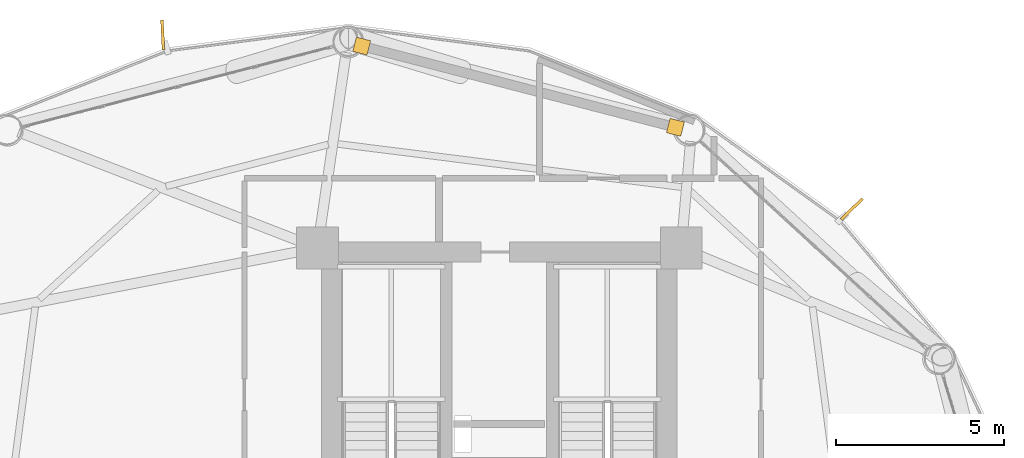
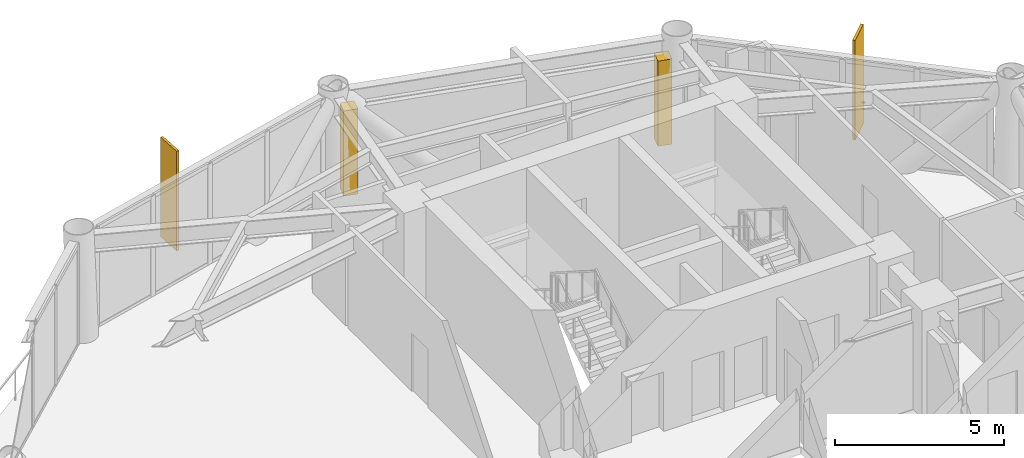
# One storey, part 25 of 25: 2 coverings, 2 shading devices.
"""IFC4 building model written with IfcOpenShell, lengths in metres."""

from ifc_helpers import new_model, si_unit, direction, frame, origin, origin_2d, place, context, subcontext, project, spatial, rectangle, extrude, source, transform, mapped, material, layer, layer_set, type_object, type_shapes, element, save


model = new_model("IFC4")

# Units and contexts
model_context = context("Model", 3, precision=1e-05, world=origin(), true_north=direction((0.0, 1.0)))
body_context = subcontext(model_context, "Body", "Model", "MODEL_VIEW")
ifc_project = project(units=[si_unit("LENGTHUNIT", "METRE"), si_unit("AREAUNIT", "SQUARE_METRE"), si_unit("VOLUMEUNIT", "CUBIC_METRE"), si_unit("PLANEANGLEUNIT", "RADIAN"), si_unit("MASSUNIT", "GRAM", prefix="KILO")], contexts=[model_context])

# Site, building, storey
site_placement = place(None, origin())
site = spatial("IfcSite", under=ifc_project, at=site_placement, CompositionType="ELEMENT")
building_placement = place(site_placement, origin())
building = spatial("IfcBuilding", under=site, at=building_placement, Name="Varnakorn Sky Granary", CompositionType="ELEMENT")
storey_placement = place(building_placement, frame((0.0, 0.0, 35.39990234375)))
storey = spatial("IfcBuildingStorey", under=building, at=storey_placement, Name="L08", CompositionType="ELEMENT", Elevation=35.39990234375)

# Shading devices
ifc_material = material(Name="Anodised Bronze Aluminium Alloy 6063-T6", Category="aluminium")
shading_device_type = type_object("IfcShadingDeviceType", Name="SH-FIN-01", PredefinedType="USERDEFINED", material=ifc_material)
shared_shape_1 = source(origin(), body_context, "Body", "SweptSolid", [
    extrude(rectangle(XDim=0.0849609375, YDim=0.8798828125, at=origin_2d()), origin(), (0.0, 0.0, 1.0), 3.60009765625),
])
type_shapes(shading_device_type, [shared_shape_1])
for number, where, z_axis, x_axis, name in (
    (1, (13.501708984375, 13.780517578125, -0.0400390625), (0.0, 0.0, 1.0), (-0.693725761954, 0.720239243031, 0.0), "Bronze Solar-Tracking Vertical Blade FIN L08-02"),
    (2, (-7.03125, 18.973388671875, -0.0400390625), (0.0, 0.0, 1.0), (-0.998840355183, -0.048145039813, 0.0), "Bronze Solar-Tracking Vertical Blade FIN L08-04"),
):
    element("IfcShadingDevice", number, at=place(storey_placement, frame(where, z_axis=z_axis, x_axis=x_axis)), inside=storey, type_object=shading_device_type, Name=name, ObjectType="FIN", PredefinedType="USERDEFINED", context=body_context, shape_type="MappedRepresentation", body=[
        mapped(shared_shape_1, transform((0.0, 0.0, 0.0), x_axis=(1.0, 0.0, 0.0), y_axis=(0.0, 1.0, 0.0), z_axis=(0.0, 0.0, 1.0), scale=1.0)),
    ])

# Coverings
ifc_layer = layer(ifc_material, 0.050048828125, Name="Anodised Bronze Aluminium Alloy 6063-T6")
ifc_layer_set = layer_set([ifc_layer], Name="Anodised Bronze Aluminium Alloy 6063-T6")
covering_type = type_object("IfcCoveringType", Name="CV-CLAD-50", PredefinedType="CLADDING", material=ifc_layer_set)
shared_shape_2 = source(origin(), body_context, "Body", "SweptSolid", [
    extrude(rectangle(XDim=0.43994140625, YDim=0.43994140625, at=origin_2d()), origin(), (0.0, 0.0, 1.0), 3.080078125),
])
type_shapes(covering_type, [shared_shape_2])
for number, where, z_axis, x_axis, name in (
    (3, (-1.101318359375, 18.6376953125, -0.02001953125), (0.0, 0.0, 1.0), (0.968060182288, -0.250717936073, 0.0), "Bronze Corner Pilaster Closure L08-P03-A"),
    (4, (8.24560546875, 16.216552734375, -0.02001953125), (0.0, 0.0, 1.0), (0.968060182288, -0.250717936073, 0.0), "Bronze Corner Pilaster Closure L08-P03-B"),
):
    element("IfcCovering", number, at=place(storey_placement, frame(where, z_axis=z_axis, x_axis=x_axis)), inside=storey, type_object=covering_type, Name=name, PredefinedType="CLADDING", context=body_context, shape_type="MappedRepresentation", body=[
        mapped(shared_shape_2, transform((0.0, 0.0, 0.0), x_axis=(1.0, 0.0, 0.0), y_axis=(0.0, 1.0, 0.0), z_axis=(0.0, 0.0, 1.0), scale=1.0)),
    ])

save(model, "model.ifc")
